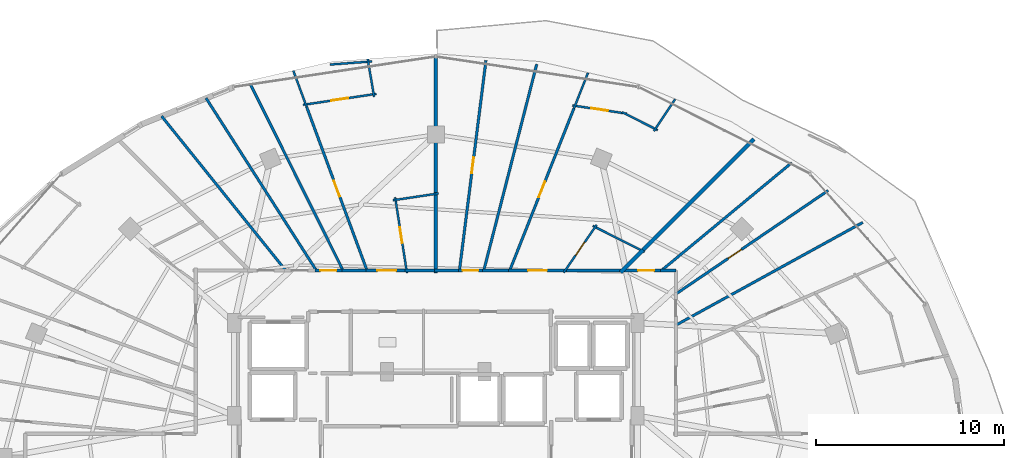
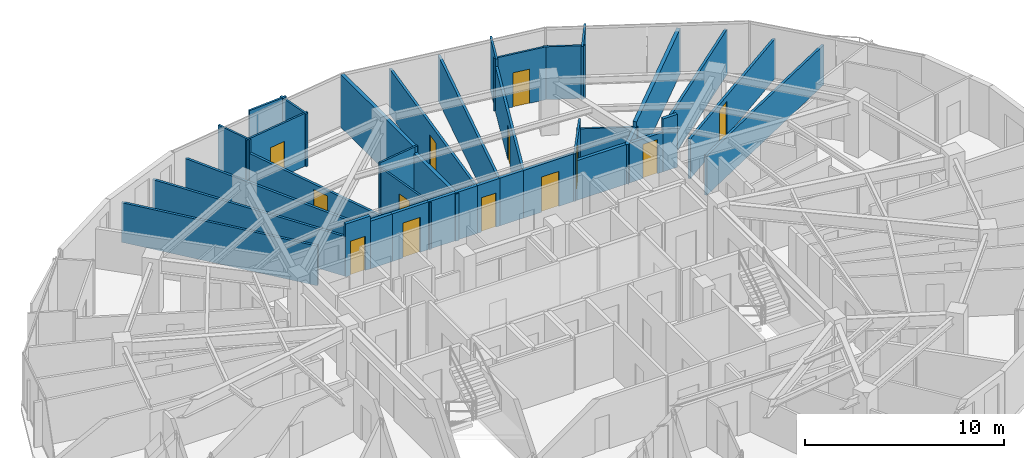
# One storey, part 29 of 33: 37 walls, 13 doors, 13 openings.
"""IFC4 building model written with IfcOpenShell, lengths in metres."""

from ifc_helpers import new_model, si_unit, direction, frame, frame_2d, origin, place, context, subcontext, project, spatial, rectangle, extrude, material, layer, layer_set, type_object, element, fill, save


model = new_model("IFC4")

# Units and contexts
model_context = context("Model", 3, precision=1e-05, world=origin(), true_north=direction((0.0, 1.0)))
body_context = subcontext(model_context, "Body", "Model", "MODEL_VIEW")
ifc_project = project(units=[si_unit("LENGTHUNIT", "METRE"), si_unit("AREAUNIT", "SQUARE_METRE"), si_unit("VOLUMEUNIT", "CUBIC_METRE"), si_unit("PLANEANGLEUNIT", "RADIAN"), si_unit("MASSUNIT", "GRAM", prefix="KILO")], contexts=[model_context])

# Site, building, storey
site_placement = place(None, origin())
site = spatial("IfcSite", under=ifc_project, at=site_placement, CompositionType="ELEMENT")
building_placement = place(site_placement, origin())
building = spatial("IfcBuilding", under=site, at=building_placement, Name="Vorneva Point Tower", CompositionType="ELEMENT")
storey_placement = place(building_placement, frame((0.0, 0.0, 179.10009765625)))
storey = spatial("IfcBuildingStorey", under=building, at=storey_placement, Name="L48", CompositionType="ELEMENT", Elevation=179.10009765625)

# Wall, opening, door
ifc_material_1 = material(Name="Fire-rated acoustic gypsum stud partition", Category="gypsum")
ifc_layer_1 = layer(ifc_material_1, 0.110107421875)
ifc_layer_set_1 = layer_set([ifc_layer_1], Name="Fire-rated acoustic gypsum stud partition")
wall_type_1 = type_object("IfcWallType", Name="WL-PART-110", PredefinedType="PARTITIONING", material=ifc_layer_set_1)
wall_1_placement = place(storey_placement, frame((44.811279296875, 35.8349609375, 0.0), z_axis=(0.0, 0.0, 1.0), x_axis=(0.569300192805, 0.822129728493, 0.0)))
wall_1 = element("IfcWall", 1, at=wall_1_placement, inside=storey, type_object=wall_type_1, Name="L48 Interior Partition 109", PredefinedType="PARTITIONING", context=body_context, shape_type="SweptSolid", body=[
    extrude(rectangle(XDim=3.095703125, YDim=0.110107421875, at=frame_2d((1.5478515625, 0.0))), origin(), (0.0, 0.0, 1.0), 2.921875),
])
opening_1_placement = place(wall_1_placement, frame((1.122802734375, 0.0, 0.0)))
opening_1 = element("IfcOpeningElement", 2, at=opening_1_placement, cuts=wall_1, Name="Opening ID-02", PredefinedType="OPENING", context=body_context, shape_type="SweptSolid", body=[
    extrude(rectangle(XDim=0.85009765625, YDim=2.10009765625, at=frame_2d((0.425048828125, 1.050048828125))), frame((0.0, 0.06982421875, 0.0), z_axis=(0.0, -1.0, 0.0), x_axis=(1.0, 0.0, 0.0)), (0.0, 0.0, 1.0), 0.139892578125),
])
ifc_material_2 = material(Name="Engineered oak fire-rated door leaf", Category="wood")
door_type_1 = type_object("IfcDoorType", Name="DR-BATH-850", OperationType="NOTDEFINED", PredefinedType="DOOR", material=ifc_material_2)
door_1_placement = place(opening_1_placement, origin())
door_1 = element("IfcDoor", 3, at=door_1_placement, inside=storey, type_object=door_type_1, Name="L48 Door Living and Dining Room L48-02 / Bathroom L48-02", OperationType="SINGLE_SWING_LEFT", OverallHeight=2.10009765625, OverallWidth=0.85009765625, PredefinedType="DOOR", context=body_context, shape_type="SweptSolid", body=[
    extrude(rectangle(XDim=0.85009765625, YDim=2.10009765625, at=frame_2d((0.425048828125, 1.050048828125))), frame((0.0, 0.02490234375, 0.0), z_axis=(0.0, -1.0, 0.0), x_axis=(1.0, 0.0, 0.0)), (0.0, 0.0, 1.0), 0.050048828125),
])
fill(opening_1, door_1)

# Walls
wall_2_placement = place(storey_placement, frame((46.369140625, 38.328125, 0.0), z_axis=(0.0, 0.0, 1.0), x_axis=(0.892472891666, -0.451101028199, 0.0)))
element("IfcWall", 4, at=wall_2_placement, inside=storey, type_object=wall_type_1, Name="L48 Interior Partition 110", PredefinedType="PARTITIONING", context=body_context, shape_type="SweptSolid", body=[
    extrude(rectangle(XDim=3.08642578125, YDim=0.110107421875, at=frame_2d((1.543212890625, 0.0))), origin(), (0.0, 0.0, 1.0), 2.431884765625),
])
wall_3_placement = place(storey_placement, frame((49.823974609375, 43.432861328125, 0.0), z_axis=(0.0, 0.0, 1.0), x_axis=(-0.892614331311, 0.450821090388, 0.0)))
element("IfcWall", 5, at=wall_3_placement, inside=storey, type_object=wall_type_1, Name="L48 Interior Partition 111", PredefinedType="PARTITIONING", context=body_context, shape_type="SweptSolid", body=[
    extrude(rectangle(XDim=2.136474609375, YDim=0.110107421875, at=frame_2d((1.068359375, 0.0))), origin(), (0.0, 0.0, 1.0), 3.239990234375),
])

# Wall, opening, door
wall_4_placement = place(storey_placement, frame((48.180419921875, 44.31201171875, 0.0), z_axis=(0.0, 0.0, 1.0), x_axis=(-0.988815285508, 0.149145335648, 0.0)))
wall_4 = element("IfcWall", 6, at=wall_4_placement, inside=storey, type_object=wall_type_1, Name="L48 Interior Partition 112", PredefinedType="PARTITIONING", context=body_context, shape_type="SweptSolid", body=[
    extrude(rectangle(XDim=2.936767578125, YDim=0.110107421875, at=frame_2d((1.46826171875, 0.0))), origin(), (0.0, 0.0, 1.0), 3.239990234375),
])
opening_2_placement = place(wall_4_placement, frame((1.018310546875, 0.0, 0.0)))
opening_2 = element("IfcOpeningElement", 7, at=opening_2_placement, cuts=wall_4, Name="Opening ID-01", PredefinedType="OPENING", context=body_context, shape_type="SweptSolid", body=[
    extrude(rectangle(XDim=0.89990234375, YDim=2.10009765625, at=frame_2d((0.449951171875, 1.050048828125))), frame((0.0, 0.06982421875, 0.0), z_axis=(0.0, -1.0, 0.0), x_axis=(1.0, 0.0, 0.0)), (0.0, 0.0, 1.0), 0.139892578125),
])
door_type_2 = type_object("IfcDoorType", Name="DR-ROOM-900", OperationType="NOTDEFINED", PredefinedType="DOOR", material=ifc_material_2)
door_2_placement = place(opening_2_placement, origin())
door_2 = element("IfcDoor", 8, at=door_2_placement, inside=storey, type_object=door_type_2, Name="L48 Door Living and Dining Room L48-02 / Kitchen L48-02", OperationType="SINGLE_SWING_RIGHT", OverallHeight=2.10009765625, OverallWidth=0.89990234375, PredefinedType="DOOR", context=body_context, shape_type="SweptSolid", body=[
    extrude(rectangle(XDim=0.89990234375, YDim=2.10009765625, at=frame_2d((0.449951171875, 1.050048828125))), frame((0.0, 0.02490234375, 0.0), z_axis=(0.0, -1.0, 0.0), x_axis=(1.0, 0.0, 0.0)), (0.0, 0.0, 1.0), 0.050048828125),
])
fill(opening_2, door_2)

# Walls
wall_5_placement = place(storey_placement, frame((45.363525390625, 44.598876953125, 0.0), z_axis=(0.0, 0.0, 1.0), x_axis=(0.368148258243, 0.929767099844, 0.0)))
element("IfcWall", 9, at=wall_5_placement, inside=storey, type_object=wall_type_1, Name="L48 Interior Partition 113", PredefinedType="PARTITIONING", context=body_context, shape_type="SweptSolid", body=[
    extrude(rectangle(XDim=2.026611328125, YDim=0.110107421875, at=frame_2d((1.01318359375, 0.0))), origin(), (0.0, 0.0, 1.0), 3.239990234375),
])
wall_6_placement = place(storey_placement, frame((50.7578125, 45.081298828125, 0.0), z_axis=(0.0, 0.0, 1.0), x_axis=(-0.55538833369, -0.831591124773, 0.0)))
element("IfcWall", 10, at=wall_6_placement, inside=storey, type_object=wall_type_1, Name="L48 Interior Partition 114", PredefinedType="PARTITIONING", context=body_context, shape_type="SweptSolid", body=[
    extrude(rectangle(XDim=2.04638671875, YDim=0.110107421875, at=frame_2d((1.023193359375, 0.0))), origin(), (0.0, 0.0, 1.0), 3.239990234375),
])

# Wall, opening, door
wall_7_placement = place(storey_placement, frame((36.461669921875, 35.811767578125, 0.0), z_axis=(0.0, 0.0, 1.0), x_axis=(-0.154883213323, 0.987932786292, 0.0)))
wall_7 = element("IfcWall", 11, at=wall_7_placement, inside=storey, type_object=wall_type_1, Name="L48 Interior Partition 120", PredefinedType="PARTITIONING", context=body_context, shape_type="SweptSolid", body=[
    extrude(rectangle(XDim=4.0888671875, YDim=0.110107421875, at=frame_2d((2.04443359375, 0.0))), origin(), (0.0, 0.0, 1.0), 2.8740234375),
])
opening_3_placement = place(wall_7_placement, frame((1.619384765625, 0.0, 0.0)))
opening_3 = element("IfcOpeningElement", 12, at=opening_3_placement, cuts=wall_7, Name="Opening ID-02", PredefinedType="OPENING", context=body_context, shape_type="SweptSolid", body=[
    extrude(rectangle(XDim=0.85009765625, YDim=2.10009765625, at=frame_2d((0.425048828125, 1.050048828125))), frame((0.0, 0.06982421875, 0.0), z_axis=(0.0, -1.0, 0.0), x_axis=(1.0, 0.0, 0.0)), (0.0, 0.0, 1.0), 0.139892578125),
])
door_3_placement = place(opening_3_placement, origin())
door_3 = element("IfcDoor", 13, at=door_3_placement, inside=storey, type_object=door_type_1, Name="L48 Door Living and Dining Room L48-03 / Bathroom L48-03", OperationType="SINGLE_SWING_RIGHT", OverallHeight=2.10009765625, OverallWidth=0.85009765625, PredefinedType="DOOR", context=body_context, shape_type="SweptSolid", body=[
    extrude(rectangle(XDim=0.85009765625, YDim=2.10009765625, at=frame_2d((0.425048828125, 1.050048828125))), frame((0.0, 0.02490234375, 0.0), z_axis=(0.0, -1.0, 0.0), x_axis=(1.0, 0.0, 0.0)), (0.0, 0.0, 1.0), 0.050048828125),
])
fill(opening_3, door_3)

# Walls
wall_8_placement = place(storey_placement, frame((35.711669921875, 39.692138671875, 0.0), z_axis=(0.0, 0.0, 1.0), x_axis=(0.988892526147, 0.148632337431, 0.0)))
element("IfcWall", 14, at=wall_8_placement, inside=storey, type_object=wall_type_1, Name="L48 Interior Partition 121", PredefinedType="PARTITIONING", context=body_context, shape_type="SweptSolid", body=[
    extrude(rectangle(XDim=2.4541015625, YDim=0.110107421875, at=frame_2d((1.22705078125, 0.0))), origin(), (0.0, 0.0, 1.0), 3.239990234375),
])
wall_9_placement = place(storey_placement, frame((34.365478515625, 47.218017578125, 0.0), z_axis=(0.0, 0.0, 1.0), x_axis=(0.168804313657, -0.985649584635, 0.0)))
element("IfcWall", 15, at=wall_9_placement, inside=storey, type_object=wall_type_1, Name="L48 Interior Partition 122", PredefinedType="PARTITIONING", context=body_context, shape_type="SweptSolid", body=[
    extrude(rectangle(XDim=2.039306640625, YDim=0.110107421875, at=frame_2d((1.01953125, 0.0))), origin(), (0.0, 0.0, 1.0), 3.239990234375),
])

# Wall, opening, door
wall_10_placement = place(storey_placement, frame((34.824462890625, 45.36669921875, 0.0), z_axis=(0.0, 0.0, 1.0), x_axis=(-0.988877230123, -0.148734070555, 0.0)))
wall_10 = element("IfcWall", 16, at=wall_10_placement, inside=storey, type_object=wall_type_1, Name="L48 Interior Partition 123", PredefinedType="PARTITIONING", context=body_context, shape_type="SweptSolid", body=[
    extrude(rectangle(XDim=3.94287109375, YDim=0.110107421875, at=frame_2d((1.971435546875, 0.0))), origin(), (0.0, 0.0, 1.0), 3.239990234375),
])
opening_4_placement = place(wall_10_placement, frame((1.521240234375, 0.0, 0.0)))
opening_4 = element("IfcOpeningElement", 17, at=opening_4_placement, cuts=wall_10, Name="Opening ID-01", PredefinedType="OPENING", context=body_context, shape_type="SweptSolid", body=[
    extrude(rectangle(XDim=0.89990234375, YDim=2.10009765625, at=frame_2d((0.449951171875, 1.050048828125))), frame((0.0, 0.06982421875, 0.0), z_axis=(0.0, -1.0, 0.0), x_axis=(1.0, 0.0, 0.0)), (0.0, 0.0, 1.0), 0.139892578125),
])
door_4_placement = place(opening_4_placement, origin())
door_4 = element("IfcDoor", 18, at=door_4_placement, inside=storey, type_object=door_type_2, Name="L48 Door Living and Dining Room L48-03 / Kitchen L48-03", OperationType="SINGLE_SWING_LEFT", OverallHeight=2.10009765625, OverallWidth=0.89990234375, PredefinedType="DOOR", context=body_context, shape_type="SweptSolid", body=[
    extrude(rectangle(XDim=0.89990234375, YDim=2.10009765625, at=frame_2d((0.449951171875, 1.050048828125))), frame((0.0, 0.02490234375, 0.0), z_axis=(0.0, -1.0, 0.0), x_axis=(1.0, 0.0, 0.0)), (0.0, 0.0, 1.0), 0.050048828125),
])
fill(opening_4, door_4)

# Walls
wall_11_placement = place(storey_placement, frame((31.112548828125, 44.669677734375, 0.0), z_axis=(0.0, 0.0, 1.0), x_axis=(-0.346337161188, 0.938110105894, 0.0)))
element("IfcWall", 19, at=wall_11_placement, inside=storey, type_object=wall_type_1, Name="L48 Interior Partition 124", PredefinedType="PARTITIONING", context=body_context, shape_type="SweptSolid", body=[
    extrude(rectangle(XDim=2.05908203125, YDim=0.110107421875, at=frame_2d((1.029541015625, 0.0))), origin(), (0.0, 0.0, 1.0), 3.239990234375),
])
wall_12_placement = place(storey_placement, frame((34.588623046875, 47.095458984375, 0.0), z_axis=(0.0, 0.0, 1.0), x_axis=(-0.997205784552, -0.074703569226, 0.0)))
element("IfcWall", 20, at=wall_12_placement, inside=storey, type_object=wall_type_1, Name="L48 Interior Partition 125", PredefinedType="PARTITIONING", context=body_context, shape_type="SweptSolid", body=[
    extrude(rectangle(XDim=2.24853515625, YDim=0.110107421875, at=frame_2d((1.124267578125, 0.0))), origin(), (0.0, 0.0, 1.0), 3.239990234375),
])
ifc_layer_2 = layer(ifc_material_1, 0.139892578125)
ifc_layer_set_2 = layer_set([ifc_layer_2], Name="Fire-rated acoustic gypsum stud partition")
wall_type_2 = type_object("IfcWallType", Name="WL-PART-140", PredefinedType="PARTITIONING", material=ifc_layer_set_2)
wall_13_placement = place(storey_placement, frame((60.760986328125, 38.512939453125, 0.0), z_axis=(0.0, 0.0, 1.0), x_axis=(-0.876315654865, -0.481737348602, 0.0)))
element("IfcWall", 21, at=wall_13_placement, inside=storey, type_object=wall_type_2, Name="L48 Interior Partition 104", PredefinedType="PARTITIONING", context=body_context, shape_type="SweptSolid", body=[
    extrude(rectangle(XDim=11.366943359375, YDim=0.139892578125, at=frame_2d((5.68359375, 0.0))), origin(), (0.0, 0.0, 1.0), 2.431884765625),
])

# Wall, opening, door
wall_14_placement = place(storey_placement, frame((58.9169921875, 40.215087890625, 0.0), z_axis=(0.0, 0.0, 1.0), x_axis=(-0.827087951184, -0.562072522906, 0.0)))
wall_14 = element("IfcWall", 22, at=wall_14_placement, inside=storey, type_object=wall_type_2, Name="L48 Interior Partition 105", PredefinedType="PARTITIONING", context=body_context, shape_type="SweptSolid", body=[
    extrude(rectangle(XDim=9.81396484375, YDim=0.139892578125, at=frame_2d((4.906982421875, 0.0))), origin(), (0.0, 0.0, 1.0), 2.431884765625),
])
opening_5_placement = place(wall_14_placement, frame((5.601806640625, 0.0, 0.0)))
opening_5 = element("IfcOpeningElement", 23, at=opening_5_placement, cuts=wall_14, Name="Opening ID-02", PredefinedType="OPENING", context=body_context, shape_type="SweptSolid", body=[
    extrude(rectangle(XDim=0.85009765625, YDim=2.10009765625, at=frame_2d((0.425048828125, 1.050048828125))), frame((0.0, 0.0849609375, 0.0), z_axis=(0.0, -1.0, 0.0), x_axis=(1.0, 0.0, 0.0)), (0.0, 0.0, 1.0), 0.169677734375),
])
door_5_placement = place(opening_5_placement, origin())
door_5 = element("IfcDoor", 24, at=door_5_placement, inside=storey, type_object=door_type_1, Name="L48 Access Door Bedroom L48-01.2", OperationType="SINGLE_SWING_RIGHT", OverallHeight=2.10009765625, OverallWidth=0.85009765625, PredefinedType="DOOR", context=body_context, shape_type="SweptSolid", body=[
    extrude(rectangle(XDim=0.85009765625, YDim=2.10009765625, at=frame_2d((0.425048828125, 1.050048828125))), frame((0.0, 0.02490234375, 0.0), z_axis=(0.0, -1.0, 0.0), x_axis=(1.0, 0.0, 0.0)), (0.0, 0.0, 1.0), 0.050048828125),
])
fill(opening_5, door_5)

# Wall
wall_15_placement = place(storey_placement, frame((56.97998046875, 41.701904296875, 0.0), z_axis=(0.0, 0.0, 1.0), x_axis=(-0.770511618294, -0.637425953405, 0.0)))
element("IfcWall", 25, at=wall_15_placement, inside=storey, type_object=wall_type_2, Name="L48 Interior Partition 106", PredefinedType="PARTITIONING", context=body_context, shape_type="SweptSolid", body=[
    extrude(rectangle(XDim=9.023681640625, YDim=0.139892578125, at=frame_2d((4.51171875, 0.0))), origin(), (0.0, 0.0, 1.0), 2.77392578125),
])

# Wall, opening, door
wall_16_placement = place(storey_placement, frame((45.36328125, 44.598876953125, 0.0), z_axis=(0.0, 0.0, 1.0), x_axis=(-0.368121248273, -0.929777794191, 0.0)))
wall_16 = element("IfcWall", 26, at=wall_16_placement, inside=storey, type_object=wall_type_2, Name="L48 Interior Partition 115", PredefinedType="PARTITIONING", context=body_context, shape_type="SweptSolid", body=[
    extrude(rectangle(XDim=9.30224609375, YDim=0.139892578125, at=frame_2d((4.651123046875, 0.0))), origin(), (0.0, 0.0, 1.0), 2.77392578125),
])
opening_6_placement = place(wall_16_placement, frame((4.200927734375, 0.0, 0.0)))
opening_6 = element("IfcOpeningElement", 27, at=opening_6_placement, cuts=wall_16, Name="Opening ID-01", PredefinedType="OPENING", context=body_context, shape_type="SweptSolid", body=[
    extrude(rectangle(XDim=0.89990234375, YDim=2.10009765625, at=frame_2d((0.449951171875, 1.050048828125))), frame((0.0, 0.0849609375, 0.0), z_axis=(0.0, -1.0, 0.0), x_axis=(1.0, 0.0, 0.0)), (0.0, 0.0, 1.0), 0.169677734375),
])
door_6_placement = place(opening_6_placement, origin())
door_6 = element("IfcDoor", 28, at=door_6_placement, inside=storey, type_object=door_type_2, Name="L48 Door Living and Dining Room L48-02 / Master Bedroom L48-02.1", OperationType="SINGLE_SWING_LEFT", OverallHeight=2.10009765625, OverallWidth=0.89990234375, PredefinedType="DOOR", context=body_context, shape_type="SweptSolid", body=[
    extrude(rectangle(XDim=0.89990234375, YDim=2.10009765625, at=frame_2d((0.449951171875, 1.050048828125))), frame((0.0, 0.02490234375, 0.0), z_axis=(0.0, -1.0, 0.0), x_axis=(1.0, 0.0, 0.0)), (0.0, 0.0, 1.0), 0.050048828125),
])
fill(opening_6, door_6)

# Wall
wall_17_placement = place(storey_placement, frame((43.37890625, 46.947998046875, 0.0), z_axis=(0.0, 0.0, 1.0), x_axis=(-0.248702786244, -0.968579849116, 0.0)))
element("IfcWall", 29, at=wall_17_placement, inside=storey, type_object=wall_type_2, Name="L48 Interior Partition 116", PredefinedType="PARTITIONING", context=body_context, shape_type="SweptSolid", body=[
    extrude(rectangle(XDim=11.354736328125, YDim=0.139892578125, at=frame_2d((5.67724609375, 0.0))), origin(), (0.0, 0.0, 1.0), 2.77392578125),
])

# Wall, opening, door
wall_18_placement = place(storey_placement, frame((40.672119140625, 47.14990234375, 0.0), z_axis=(0.0, 0.0, 1.0), x_axis=(-0.125346852027, -0.992112980808, 0.0)))
wall_18 = element("IfcWall", 30, at=wall_18_placement, inside=storey, type_object=wall_type_2, Name="L48 Interior Partition 117", PredefinedType="PARTITIONING", context=body_context, shape_type="SweptSolid", body=[
    extrude(rectangle(XDim=11.2890625, YDim=0.139892578125, at=frame_2d((5.64453125, 0.0))), origin(), (0.0, 0.0, 1.0), 2.77392578125),
])
opening_7_placement = place(wall_18_placement, frame((5.219482421875, 0.0, 0.0)))
opening_7 = element("IfcOpeningElement", 31, at=opening_7_placement, cuts=wall_18, Name="Opening ID-02", PredefinedType="OPENING", context=body_context, shape_type="SweptSolid", body=[
    extrude(rectangle(XDim=0.85009765625, YDim=2.10009765625, at=frame_2d((0.425048828125, 1.050048828125))), frame((0.0, 0.0849609375, 0.0), z_axis=(0.0, -1.0, 0.0), x_axis=(1.0, 0.0, 0.0)), (0.0, 0.0, 1.0), 0.169677734375),
])
door_7_placement = place(opening_7_placement, origin())
door_7 = element("IfcDoor", 32, at=door_7_placement, inside=storey, type_object=door_type_1, Name="L48 Access Door Bedroom L48-02.2", OperationType="SINGLE_SWING_RIGHT", OverallHeight=2.10009765625, OverallWidth=0.85009765625, PredefinedType="DOOR", context=body_context, shape_type="SweptSolid", body=[
    extrude(rectangle(XDim=0.85009765625, YDim=2.10009765625, at=frame_2d((0.425048828125, 1.050048828125))), frame((0.0, 0.02490234375, 0.0), z_axis=(0.0, -1.0, 0.0), x_axis=(1.0, 0.0, 0.0)), (0.0, 0.0, 1.0), 0.050048828125),
])
fill(opening_7, door_7)

wall_19_placement = place(storey_placement, frame((31.1123046875, 44.669677734375, 0.0), z_axis=(0.0, 0.0, 1.0), x_axis=(0.346109472243, -0.938194134081, 0.0)))
wall_19 = element("IfcWall", 33, at=wall_19_placement, inside=storey, type_object=wall_type_2, Name="L48 Interior Partition 126", PredefinedType="PARTITIONING", context=body_context, shape_type="SweptSolid", body=[
    extrude(rectangle(XDim=9.294189453125, YDim=0.139892578125, at=frame_2d((4.64697265625, 0.0))), origin(), (0.0, 0.0, 1.0), 2.431884765625),
])
opening_8_placement = place(wall_19_placement, frame((4.197021484375, 0.0, 0.0)))
opening_8 = element("IfcOpeningElement", 34, at=opening_8_placement, cuts=wall_19, Name="Opening ID-01", PredefinedType="OPENING", context=body_context, shape_type="SweptSolid", body=[
    extrude(rectangle(XDim=0.89990234375, YDim=2.10009765625, at=frame_2d((0.449951171875, 1.050048828125))), frame((0.0, 0.0849609375, 0.0), z_axis=(0.0, -1.0, 0.0), x_axis=(1.0, 0.0, 0.0)), (0.0, 0.0, 1.0), 0.169677734375),
])
door_8_placement = place(opening_8_placement, origin())
door_8 = element("IfcDoor", 35, at=door_8_placement, inside=storey, type_object=door_type_2, Name="L48 Door Living and Dining Room L48-03 / Master Bedroom L48-03.1", OperationType="SINGLE_SWING_RIGHT", OverallHeight=2.10009765625, OverallWidth=0.89990234375, PredefinedType="DOOR", context=body_context, shape_type="SweptSolid", body=[
    extrude(rectangle(XDim=0.89990234375, YDim=2.10009765625, at=frame_2d((0.449951171875, 1.050048828125))), frame((0.0, 0.02490234375, 0.0), z_axis=(0.0, -1.0, 0.0), x_axis=(1.0, 0.0, 0.0)), (0.0, 0.0, 1.0), 0.050048828125),
])
fill(opening_8, door_8)

# Walls
wall_20_placement = place(storey_placement, frame((28.091064453125, 45.927978515625, 0.0), z_axis=(0.0, 0.0, 1.0), x_axis=(0.445267068418, -0.895397809793, 0.0)))
element("IfcWall", 36, at=wall_20_placement, inside=storey, type_object=wall_type_2, Name="L48 Interior Partition 127", PredefinedType="PARTITIONING", context=body_context, shape_type="SweptSolid", body=[
    extrude(rectangle(XDim=11.143798828125, YDim=0.139892578125, at=frame_2d((5.57177734375, 0.0))), origin(), (0.0, 0.0, 1.0), 2.431884765625),
])
wall_21_placement = place(storey_placement, frame((25.7490234375, 45.137939453125, 0.0), z_axis=(0.0, 0.0, 1.0), x_axis=(0.539168632786, -0.842197830335, 0.0)))
element("IfcWall", 37, at=wall_21_placement, inside=storey, type_object=wall_type_2, Name="L48 Interior Partition 128", PredefinedType="PARTITIONING", context=body_context, shape_type="SweptSolid", body=[
    extrude(rectangle(XDim=10.909423828125, YDim=0.139892578125, at=frame_2d((5.45458984375, 0.0))), origin(), (0.0, 0.0, 1.0), 2.431884765625),
])
wall_22_placement = place(storey_placement, frame((23.3779296875, 44.177978515625, 0.0), z_axis=(0.0, 0.0, 1.0), x_axis=(0.626756813732, -0.779214923137, 0.0)))
element("IfcWall", 38, at=wall_22_placement, inside=storey, type_object=wall_type_2, Name="L48 Interior Partition 129", PredefinedType="PARTITIONING", context=body_context, shape_type="SweptSolid", body=[
    extrude(rectangle(XDim=10.559326171875, YDim=0.139892578125, at=frame_2d((5.27978515625, 0.0))), origin(), (0.0, 0.0, 1.0), 2.431884765625),
])
ifc_material_3 = material(Name="Autoclaved aerated concrete blockwork", Category="masonry")
ifc_layer_3 = layer(ifc_material_3, 0.179931640625)
ifc_layer_set_3 = layer_set([ifc_layer_3], Name="Autoclaved aerated concrete blockwork")
wall_type_3 = type_object("IfcWallType", Name="WL-PART-180", PredefinedType="PARTITIONING", material=ifc_layer_set_3)
wall_23_placement = place(storey_placement, frame((50.800048828125, 35.949951171875, 0.0), z_axis=(0.0, 0.0, 1.0), x_axis=(-1.0, 0.0, 0.0)))
element("IfcWall", 39, at=wall_23_placement, inside=storey, type_object=wall_type_3, Name="L48 Interior Partition 035", PredefinedType="PARTITIONING", context=body_context, shape_type="SweptSolid", body=[
    extrude(rectangle(XDim=0.8330078125, YDim=0.179931640625, at=frame_2d((0.41650390625, 0.0))), origin(), (0.0, 0.0, 1.0), 3.239990234375),
])

# Wall, opening, door
wall_24_placement = place(storey_placement, frame((49.967041015625, 35.949951171875, 0.0), z_axis=(0.0, 0.0, 1.0), x_axis=(-1.0, 0.0, 0.0)))
wall_24 = element("IfcWall", 40, at=wall_24_placement, inside=storey, type_object=wall_type_3, Name="L48 Interior Partition 036", PredefinedType="PARTITIONING", context=body_context, shape_type="SweptSolid", body=[
    extrude(rectangle(XDim=2.0771484375, YDim=0.179931640625, at=frame_2d((1.03857421875, 0.0))), origin(), (0.0, 0.0, 1.0), 2.431884765625),
])
opening_9_placement = place(wall_24_placement, frame((0.33349609375, 0.0, 0.0)))
opening_9 = element("IfcOpeningElement", 41, at=opening_9_placement, cuts=wall_24, Name="Opening ID-02", PredefinedType="OPENING", context=body_context, shape_type="SweptSolid", body=[
    extrude(rectangle(XDim=0.85009765625, YDim=2.10009765625, at=frame_2d((0.425048828125, 1.050048828125))), frame((0.0, 0.10498046875, 0.0), z_axis=(0.0, -1.0, 0.0), x_axis=(1.0, 0.0, 0.0)), (0.0, 0.0, 1.0), 0.209716796875),
])
door_9_placement = place(opening_9_placement, origin())
door_9 = element("IfcDoor", 42, at=door_9_placement, inside=storey, type_object=door_type_1, Name="L48 Access Door L48 Circulation Corridor", OperationType="SINGLE_SWING_RIGHT", OverallHeight=2.10009765625, OverallWidth=0.85009765625, PredefinedType="DOOR", context=body_context, shape_type="SweptSolid", body=[
    extrude(rectangle(XDim=0.85009765625, YDim=2.10009765625, at=frame_2d((0.425048828125, 1.050048828125))), frame((0.0, 0.02490234375, 0.0), z_axis=(0.0, -1.0, 0.0), x_axis=(1.0, 0.0, 0.0)), (0.0, 0.0, 1.0), 0.050048828125),
])
fill(opening_9, door_9)

wall_25_placement = place(storey_placement, frame((44.964111328125, 35.949951171875, 0.0), z_axis=(0.0, 0.0, 1.0), x_axis=(-1.0, 0.0, 0.0)))
wall_25 = element("IfcWall", 43, at=wall_25_placement, inside=storey, type_object=wall_type_3, Name="L48 Interior Partition 037", PredefinedType="PARTITIONING", context=body_context, shape_type="SweptSolid", body=[
    extrude(rectangle(XDim=3.085205078125, YDim=0.179931640625, at=frame_2d((1.54248046875, 0.0))), origin(), (0.0, 0.0, 1.0), 2.921875),
])
opening_10_placement = place(wall_25_placement, frame((1.04248046875, 0.0, 0.0)))
opening_10 = element("IfcOpeningElement", 44, at=opening_10_placement, cuts=wall_25, Name="Opening UD-01", PredefinedType="OPENING", context=body_context, shape_type="SweptSolid", body=[
    extrude(rectangle(XDim=1.0, YDim=2.14990234375, at=frame_2d((0.5, 1.074951171875))), frame((0.0, 0.10498046875, 0.0), z_axis=(0.0, -1.0, 0.0), x_axis=(1.0, 0.0, 0.0)), (0.0, 0.0, 1.0), 0.209716796875),
])
door_type_3 = type_object("IfcDoorType", Name="DR-UNIT-1000", OperationType="NOTDEFINED", PredefinedType="DOOR", material=ifc_material_2)
door_10_placement = place(opening_10_placement, origin())
door_10 = element("IfcDoor", 45, at=door_10_placement, inside=storey, type_object=door_type_3, Name="L48 Door L48 Circulation Corridor / Living and Dining Room L48-02", OperationType="SINGLE_SWING_LEFT", OverallHeight=2.14990234375, OverallWidth=1.0, PredefinedType="DOOR", context=body_context, shape_type="SweptSolid", body=[
    extrude(rectangle(XDim=1.0, YDim=2.14990234375, at=frame_2d((0.5, 1.074951171875))), frame((0.0, 0.02490234375, 0.0), z_axis=(0.0, -1.0, 0.0), x_axis=(1.0, 0.0, 0.0)), (0.0, 0.0, 1.0), 0.050048828125),
])
fill(opening_10, door_10)

# Walls
wall_26_placement = place(storey_placement, frame((48.030029296875, 35.949951171875, 0.0), z_axis=(0.0, 0.0, 1.0), x_axis=(-1.0, 0.0, 0.0)))
element("IfcWall", 46, at=wall_26_placement, inside=storey, type_object=wall_type_3, Name="L48 Interior Partition 038", PredefinedType="PARTITIONING", context=body_context, shape_type="SweptSolid", body=[
    extrude(rectangle(XDim=3.2060546875, YDim=0.179931640625, at=frame_2d((1.60302734375, 0.0))), origin(), (0.0, 0.0, 1.0), 2.431884765625),
])
wall_27_placement = place(storey_placement, frame((41.87890625, 35.949951171875, 0.0), z_axis=(0.0, 0.0, 1.0), x_axis=(-1.0, 0.0, 0.0)))
element("IfcWall", 47, at=wall_27_placement, inside=storey, type_object=wall_type_3, Name="L48 Interior Partition 039", PredefinedType="PARTITIONING", context=body_context, shape_type="SweptSolid", body=[
    extrude(rectangle(XDim=1.3837890625, YDim=0.179931640625, at=frame_2d((0.69189453125, 0.0))), origin(), (0.0, 0.0, 1.0), 2.921875),
])

# Wall, opening, door
wall_28_placement = place(storey_placement, frame((40.4951171875, 35.949951171875, 0.0), z_axis=(0.0, 0.0, 1.0), x_axis=(-1.0, 0.0, 0.0)))
wall_28 = element("IfcWall", 48, at=wall_28_placement, inside=storey, type_object=wall_type_3, Name="L48 Interior Partition 040", PredefinedType="PARTITIONING", context=body_context, shape_type="SweptSolid", body=[
    extrude(rectangle(XDim=1.298095703125, YDim=0.179931640625, at=frame_2d((0.64892578125, 0.0))), origin(), (0.0, 0.0, 1.0), 2.921875),
])
opening_11_placement = place(wall_28_placement, frame((0.22412109375, 0.0, 0.0)))
opening_11 = element("IfcOpeningElement", 49, at=opening_11_placement, cuts=wall_28, Name="Opening ID-02", PredefinedType="OPENING", context=body_context, shape_type="SweptSolid", body=[
    extrude(rectangle(XDim=0.85009765625, YDim=2.10009765625, at=frame_2d((0.425048828125, 1.050048828125))), frame((0.0, 0.10498046875, 0.0), z_axis=(0.0, -1.0, 0.0), x_axis=(1.0, 0.0, 0.0)), (0.0, 0.0, 1.0), 0.209716796875),
])
door_11_placement = place(opening_11_placement, origin())
door_11 = element("IfcDoor", 50, at=door_11_placement, inside=storey, type_object=door_type_1, Name="L48 Access Door L48 Circulation Corridor", OperationType="SINGLE_SWING_LEFT", OverallHeight=2.10009765625, OverallWidth=0.85009765625, PredefinedType="DOOR", context=body_context, shape_type="SweptSolid", body=[
    extrude(rectangle(XDim=0.85009765625, YDim=2.10009765625, at=frame_2d((0.425048828125, 1.050048828125))), frame((0.0, 0.02490234375, 0.0), z_axis=(0.0, -1.0, 0.0), x_axis=(1.0, 0.0, 0.0)), (0.0, 0.0, 1.0), 0.050048828125),
])
fill(opening_11, door_11)

# Wall
wall_29_placement = place(storey_placement, frame((39.197021484375, 35.949951171875, 0.0), z_axis=(0.0, 0.0, 1.0), x_axis=(-1.0, 0.0, 0.0)))
element("IfcWall", 51, at=wall_29_placement, inside=storey, type_object=wall_type_3, Name="L48 Interior Partition 041", PredefinedType="PARTITIONING", context=body_context, shape_type="SweptSolid", body=[
    extrude(rectangle(XDim=1.257080078125, YDim=0.179931640625, at=frame_2d((0.62841796875, 0.0))), origin(), (0.0, 0.0, 1.0), 2.921875),
])

# Wall, opening, door
wall_30_placement = place(storey_placement, frame((36.5, 35.949951171875, 0.0), z_axis=(0.0, 0.0, 1.0), x_axis=(-1.0, 0.0, 0.0)))
wall_30 = element("IfcWall", 52, at=wall_30_placement, inside=storey, type_object=wall_type_3, Name="L48 Interior Partition 042", PredefinedType="PARTITIONING", context=body_context, shape_type="SweptSolid", body=[
    extrude(rectangle(XDim=2.235107421875, YDim=0.179931640625, at=frame_2d((1.11767578125, 0.0))), origin(), (0.0, 0.0, 1.0), 2.921875),
])
opening_12_placement = place(wall_30_placement, frame((0.617431640625, 0.0, 0.0)))
opening_12 = element("IfcOpeningElement", 53, at=opening_12_placement, cuts=wall_30, Name="Opening UD-01", PredefinedType="OPENING", context=body_context, shape_type="SweptSolid", body=[
    extrude(rectangle(XDim=1.0, YDim=2.14990234375, at=frame_2d((0.5, 1.074951171875))), frame((0.0, 0.10498046875, 0.0), z_axis=(0.0, -1.0, 0.0), x_axis=(1.0, 0.0, 0.0)), (0.0, 0.0, 1.0), 0.209716796875),
])
door_12_placement = place(opening_12_placement, origin())
door_12 = element("IfcDoor", 54, at=door_12_placement, inside=storey, type_object=door_type_3, Name="L48 Door L48 Circulation Corridor / Living and Dining Room L48-03", OperationType="SINGLE_SWING_RIGHT", OverallHeight=2.14990234375, OverallWidth=1.0, PredefinedType="DOOR", context=body_context, shape_type="SweptSolid", body=[
    extrude(rectangle(XDim=1.0, YDim=2.14990234375, at=frame_2d((0.5, 1.074951171875))), frame((0.0, 0.02490234375, 0.0), z_axis=(0.0, -1.0, 0.0), x_axis=(1.0, 0.0, 0.0)), (0.0, 0.0, 1.0), 0.050048828125),
])
fill(opening_12, door_12)

# Walls
wall_31_placement = place(storey_placement, frame((38.080078125, 35.949951171875, 0.0), z_axis=(0.0, 0.0, 1.0), x_axis=(-1.0, 0.0, 0.0)))
element("IfcWall", 55, at=wall_31_placement, inside=storey, type_object=wall_type_3, Name="L48 Interior Partition 043", PredefinedType="PARTITIONING", context=body_context, shape_type="SweptSolid", body=[
    extrude(rectangle(XDim=1.719970703125, YDim=0.179931640625, at=frame_2d((0.85986328125, 0.0))), origin(), (0.0, 0.0, 1.0), 2.921875),
])
wall_32_placement = place(storey_placement, frame((34.264892578125, 35.949951171875, 0.0), z_axis=(0.0, 0.0, 1.0), x_axis=(-1.0, 0.0, 0.0)))
element("IfcWall", 56, at=wall_32_placement, inside=storey, type_object=wall_type_3, Name="L48 Interior Partition 044", PredefinedType="PARTITIONING", context=body_context, shape_type="SweptSolid", body=[
    extrude(rectangle(XDim=1.27880859375, YDim=0.179931640625, at=frame_2d((0.639404296875, 0.0))), origin(), (0.0, 0.0, 1.0), 2.921875),
])

# Wall, opening, door
wall_33_placement = place(storey_placement, frame((32.986083984375, 35.949951171875, 0.0), z_axis=(0.0, 0.0, 1.0), x_axis=(-1.0, 0.0, 0.0)))
wall_33 = element("IfcWall", 57, at=wall_33_placement, inside=storey, type_object=wall_type_3, Name="L48 Interior Partition 045", PredefinedType="PARTITIONING", context=body_context, shape_type="SweptSolid", body=[
    extrude(rectangle(XDim=1.426025390625, YDim=0.179931640625, at=frame_2d((0.712890625, 0.0))), origin(), (0.0, 0.0, 1.0), 3.239990234375),
])
opening_13_placement = place(wall_33_placement, frame((0.2880859375, 0.0, 0.0)))
opening_13 = element("IfcOpeningElement", 58, at=opening_13_placement, cuts=wall_33, Name="Opening ID-02", PredefinedType="OPENING", context=body_context, shape_type="SweptSolid", body=[
    extrude(rectangle(XDim=0.85009765625, YDim=2.10009765625, at=frame_2d((0.425048828125, 1.050048828125))), frame((0.0, 0.10498046875, 0.0), z_axis=(0.0, -1.0, 0.0), x_axis=(1.0, 0.0, 0.0)), (0.0, 0.0, 1.0), 0.209716796875),
])
door_13_placement = place(opening_13_placement, origin())
door_13 = element("IfcDoor", 59, at=door_13_placement, inside=storey, type_object=door_type_1, Name="L48 Access Door L48 Circulation Corridor", OperationType="SINGLE_SWING_RIGHT", OverallHeight=2.10009765625, OverallWidth=0.85009765625, PredefinedType="DOOR", context=body_context, shape_type="SweptSolid", body=[
    extrude(rectangle(XDim=0.85009765625, YDim=2.10009765625, at=frame_2d((0.425048828125, 1.050048828125))), frame((0.0, 0.02490234375, 0.0), z_axis=(0.0, -1.0, 0.0), x_axis=(1.0, 0.0, 0.0)), (0.0, 0.0, 1.0), 0.050048828125),
])
fill(opening_13, door_13)

# Walls
ifc_layer_4 = layer(ifc_material_3, 0.199951171875)
ifc_layer_set_4 = layer_set([ifc_layer_4], Name="Autoclaved aerated concrete blockwork")
wall_type_4 = type_object("IfcWallType", Name="WL-PART-200", PredefinedType="PARTITIONING", material=ifc_layer_set_4)
wall_34_placement = place(storey_placement, frame((54.958984375, 42.958984375, 0.0), z_axis=(0.0, 0.0, 1.0), x_axis=(-0.707106781187, -0.707106781187, 0.0)))
element("IfcWall", 60, at=wall_34_placement, inside=storey, type_object=wall_type_4, Name="L48 Interior Partition 107", PredefinedType="PARTITIONING", context=body_context, shape_type="SweptSolid", body=[
    extrude(rectangle(XDim=8.4921875, YDim=0.199951171875, at=frame_2d((4.24609375, 0.0))), origin(), (0.0, 0.0, 1.0), 2.77392578125),
])
wall_35_placement = place(storey_placement, frame((49.052978515625, 37.052978515625, 0.0), z_axis=(0.0, 0.0, 1.0), x_axis=(-0.707106781187, -0.707106781187, 0.0)))
element("IfcWall", 61, at=wall_35_placement, inside=storey, type_object=wall_type_4, Name="L48 Interior Partition 108", PredefinedType="PARTITIONING", context=body_context, shape_type="SweptSolid", body=[
    extrude(rectangle(XDim=1.69970703125, YDim=0.199951171875, at=frame_2d((0.849853515625, 0.0))), origin(), (0.0, 0.0, 1.0), 2.431884765625),
])
wall_36_placement = place(storey_placement, frame((38.0, 47.35009765625, 0.0), z_axis=(0.0, 0.0, 1.0), x_axis=(0.0, -1.0, 0.0)))
element("IfcWall", 62, at=wall_36_placement, inside=storey, type_object=wall_type_4, Name="L48 Interior Partition 118", PredefinedType="PARTITIONING", context=body_context, shape_type="SweptSolid", body=[
    extrude(rectangle(XDim=7.375, YDim=0.199951171875, at=frame_2d((3.6875, 0.0))), origin(), (0.0, 0.0, 1.0), 3.239990234375),
])
wall_37_placement = place(storey_placement, frame((38.0, 40.114990234375, 0.0), z_axis=(0.0, 0.0, 1.0), x_axis=(0.0, -1.0, 0.0)))
element("IfcWall", 63, at=wall_37_placement, inside=storey, type_object=wall_type_4, Name="L48 Interior Partition 119", PredefinedType="PARTITIONING", context=body_context, shape_type="SweptSolid", body=[
    extrude(rectangle(XDim=4.304931640625, YDim=0.199951171875, at=frame_2d((2.15234375, 0.0))), origin(), (0.0, 0.0, 1.0), 2.8740234375),
])

save(model, "model.ifc")
